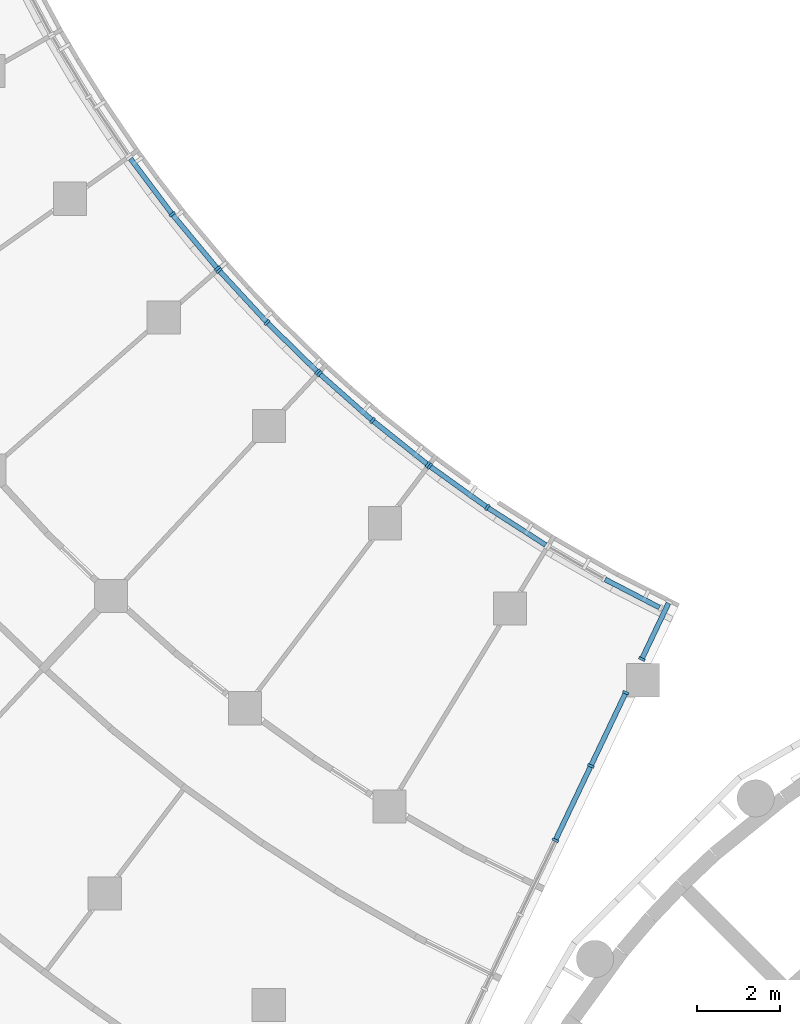
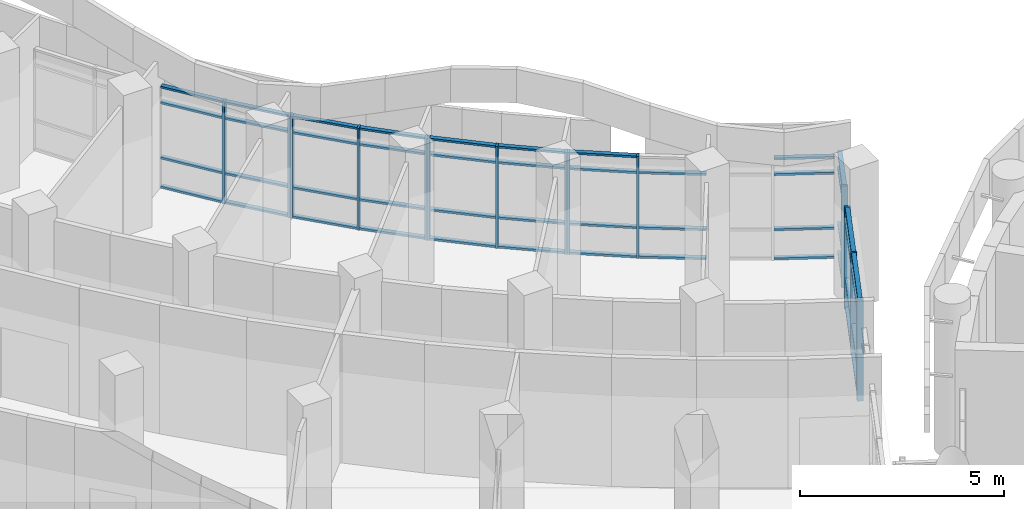
# One storey, part 21 of 109: 61 members, 7 elements without a shape of their own.
"""IFC4 building model written with IfcOpenShell, lengths in metres."""

from ifc_helpers import new_model, si_unit, direction, frame, origin, origin_2d, place, context, subcontext, project, spatial, rectangle, extrude, material, material_profile, profile_set, type_object, element, aggregate, save


model = new_model("IFC4")

# Units and contexts
model_context = context("Model", 3, precision=1e-05, world=origin(), true_north=direction((0.0, 1.0)))
body_context = subcontext(model_context, "Body", "Model", "MODEL_VIEW")
ifc_project = project(units=[si_unit("LENGTHUNIT", "METRE"), si_unit("AREAUNIT", "SQUARE_METRE"), si_unit("VOLUMEUNIT", "CUBIC_METRE"), si_unit("PLANEANGLEUNIT", "RADIAN"), si_unit("MASSUNIT", "GRAM", prefix="KILO")], contexts=[model_context])

# Site, building, storey
site_placement = place(None, origin())
site = spatial("IfcSite", under=ifc_project, at=site_placement, CompositionType="ELEMENT")
building_placement = place(site_placement, origin())
building = spatial("IfcBuilding", under=site, at=building_placement, Name="Bougainvillea Quay General Hospital", CompositionType="ELEMENT")
storey_placement = place(building_placement, frame((0.0, 0.0, 12.60009765625)))
storey = spatial("IfcBuildingStorey", under=building, at=storey_placement, Name="L02", CompositionType="ELEMENT", Elevation=12.60009765625)

# Curtain wall, members
ifc_material_1 = material(Name="Aluminium curtain wall system, powder-coated glazed", Category="aluminium")
curtain_wall_type_1 = type_object("IfcCurtainWallType", Name="Unitised curtain wall CW-1989", PredefinedType="NOTDEFINED", material=ifc_material_1)
curtain_wall_1_placement = place(storey_placement, origin())
curtain_wall_1 = element("IfcCurtainWall", 1, at=curtain_wall_1_placement, inside=storey, type_object=curtain_wall_type_1, Name="CW-AE 00", PredefinedType="NOTDEFINED")
ifc_material_2 = material(Name="Aluminium mullion, powder-coated charcoal", Category="aluminium")
ifc_material_profile_1 = material_profile(ifc_material_2, rectangle(XDim=0.159912109375, YDim=0.06005859375, at=origin_2d()))
ifc_profile_set_1 = profile_set([ifc_material_profile_1], Name="Aluminium mullion, powder-coated charcoal")
member_type_1 = type_object("IfcMemberType", Name="Curtain wall mullion 160x60", PredefinedType="MULLION", material=ifc_profile_set_1)
member_1_placement = place(storey_placement, frame((91.583251953125, 89.646240234375, 0.0), z_axis=(0.0, 0.0, 1.0), x_axis=(-0.902560506484, 0.430563040838, 0.0)))
member_1 = element("IfcMember", 2, at=member_1_placement, type_object=member_type_1, Name="CW-AE mullion 6", PredefinedType="MULLION", context=body_context, shape_type="SweptSolid", body=[
    extrude(rectangle(XDim=0.159912109375, YDim=0.06005859375, at=origin_2d()), origin(), (0.0, 0.0, 1.0), 3.0498046875),
])
member_2_placement = place(storey_placement, frame((92.439208984375, 91.44091796875, 0.0), z_axis=(0.0, 0.0, 1.0), x_axis=(-0.902560506484, 0.430563040838, 0.0)))
member_2 = element("IfcMember", 3, at=member_2_placement, type_object=member_type_1, Name="CW-AE mullion 7", PredefinedType="MULLION", context=body_context, shape_type="SweptSolid", body=[
    extrude(rectangle(XDim=0.159912109375, YDim=0.06005859375, at=origin_2d()), origin(), (0.0, 0.0, 1.0), 3.0498046875),
])
member_3_placement = place(storey_placement, frame((93.282470703125, 93.20849609375, 0.0), z_axis=(0.0, 0.0, 1.0), x_axis=(-0.902560506484, 0.430563040838, 0.0)))
member_3 = element("IfcMember", 4, at=member_3_placement, type_object=member_type_1, Name="CW-AE mullion 8", PredefinedType="MULLION", context=body_context, shape_type="SweptSolid", body=[
    extrude(rectangle(XDim=0.159912109375, YDim=0.06005859375, at=origin_2d()), origin(), (0.0, 0.0, 1.0), 3.0498046875),
])

# Curtain wall, member
curtain_wall_type_2 = type_object("IfcCurtainWallType", Name="Unitised curtain wall CW-1580", PredefinedType="NOTDEFINED", material=ifc_material_1)
curtain_wall_2_placement = place(storey_placement, origin())
curtain_wall_2 = element("IfcCurtainWall", 5, at=curtain_wall_2_placement, inside=storey, type_object=curtain_wall_type_2, Name="CW-AE 01", PredefinedType="NOTDEFINED")
member_4_placement = place(storey_placement, frame((93.670166015625, 94.020751953125, 0.0), z_axis=(0.0, 0.0, 1.0), x_axis=(-0.902560506484, 0.430563040838, 0.0)))
member_4 = element("IfcMember", 6, at=member_4_placement, type_object=member_type_1, Name="CW-AE mullion 1", PredefinedType="MULLION", context=body_context, shape_type="SweptSolid", body=[
    extrude(rectangle(XDim=0.159912109375, YDim=0.06005859375, at=origin_2d()), origin(), (0.0, 0.0, 1.0), 3.0498046875),
])

# Curtain wall, members
curtain_wall_type_3 = type_object("IfcCurtainWallType", Name="Unitised curtain wall CW-2100", PredefinedType="NOTDEFINED", material=ifc_material_1)
curtain_wall_3_placement = place(storey_placement, origin())
curtain_wall_3 = element("IfcCurtainWall", 7, at=curtain_wall_3_placement, inside=storey, type_object=curtain_wall_type_3, Name="CW-W02 a11b1", PredefinedType="NOTDEFINED")
member_5_placement = place(storey_placement, frame((89.939697265625, 97.6787109375, 0.0), z_axis=(0.0, 0.0, 1.0), x_axis=(-0.562343185136, -0.826903949762, 0.0)))
member_5 = element("IfcMember", 8, at=member_5_placement, type_object=member_type_1, Name="CW-W02 mullion 2", PredefinedType="MULLION", context=body_context, shape_type="SweptSolid", body=[
    extrude(rectangle(XDim=0.159912109375, YDim=0.06005859375, at=origin_2d()), origin(), (0.0, 0.0, 1.0), 3.0498046875),
])
member_6_placement = place(storey_placement, frame((88.552978515625, 98.674072265625, 0.0), z_axis=(0.0, 0.0, 1.0), x_axis=(-0.583130104218, -0.812378779606, 0.0)))
member_6 = element("IfcMember", 9, at=member_6_placement, type_object=member_type_1, Name="CW-W02 mullion 3", PredefinedType="MULLION", context=body_context, shape_type="SweptSolid", body=[
    extrude(rectangle(XDim=0.159912109375, YDim=0.06005859375, at=origin_2d()), origin(), (0.0, 0.0, 1.0), 3.0498046875),
])

curtain_wall_4_placement = place(storey_placement, origin())
curtain_wall_4 = element("IfcCurtainWall", 10, at=curtain_wall_4_placement, inside=storey, type_object=curtain_wall_type_3, Name="CW-W03 a11b2", PredefinedType="NOTDEFINED")
member_7_placement = place(storey_placement, frame((88.50537109375, 98.710205078125, 0.0), z_axis=(0.0, 0.0, 1.0), x_axis=(-0.623565824026, -0.781770850765, 0.0)))
member_7 = element("IfcMember", 11, at=member_7_placement, type_object=member_type_1, Name="CW-W03 mullion 1", PredefinedType="MULLION", context=body_context, shape_type="SweptSolid", body=[
    extrude(rectangle(XDim=0.159912109375, YDim=0.06005859375, at=origin_2d()), origin(), (0.0, 0.0, 1.0), 3.0498046875),
])
member_8_placement = place(storey_placement, frame((87.1708984375, 99.774658203125, 0.0), z_axis=(0.0, 0.0, 1.0), x_axis=(-0.643188621489, -0.765707775321, 0.0)))
member_8 = element("IfcMember", 12, at=member_8_placement, type_object=member_type_1, Name="CW-W03 mullion 2", PredefinedType="MULLION", context=body_context, shape_type="SweptSolid", body=[
    extrude(rectangle(XDim=0.159912109375, YDim=0.06005859375, at=origin_2d()), origin(), (0.0, 0.0, 1.0), 3.0498046875),
])
member_9_placement = place(storey_placement, frame((85.89208984375, 100.9052734375, 0.0), z_axis=(0.0, 0.0, 1.0), x_axis=(-0.662397799417, -0.749152291145, 0.0)))
member_9 = element("IfcMember", 13, at=member_9_placement, type_object=member_type_1, Name="CW-W03 mullion 3", PredefinedType="MULLION", context=body_context, shape_type="SweptSolid", body=[
    extrude(rectangle(XDim=0.159912109375, YDim=0.06005859375, at=origin_2d()), origin(), (0.0, 0.0, 1.0), 3.0498046875),
])

curtain_wall_5_placement = place(storey_placement, origin())
curtain_wall_5 = element("IfcCurtainWall", 14, at=curtain_wall_5_placement, inside=storey, type_object=curtain_wall_type_3, Name="CW-W04 a11b3", PredefinedType="NOTDEFINED")
member_10_placement = place(storey_placement, frame((85.84814453125, 100.946044921875, 0.0), z_axis=(0.0, 0.0, 1.0), x_axis=(-0.699526158712, -0.714606992183, 0.0)))
member_10 = element("IfcMember", 15, at=member_10_placement, type_object=member_type_1, Name="CW-W04 mullion 1", PredefinedType="MULLION", context=body_context, shape_type="SweptSolid", body=[
    extrude(rectangle(XDim=0.159912109375, YDim=0.06005859375, at=origin_2d()), origin(), (0.0, 0.0, 1.0), 3.0498046875),
])
member_11_placement = place(storey_placement, frame((84.62841796875, 102.14013671875, 0.0), z_axis=(0.0, 0.0, 1.0), x_axis=(-0.717421463702, -0.69663939267, 0.0)))
member_11 = element("IfcMember", 16, at=member_11_placement, type_object=member_type_1, Name="CW-W04 mullion 2", PredefinedType="MULLION", context=body_context, shape_type="SweptSolid", body=[
    extrude(rectangle(XDim=0.159912109375, YDim=0.06005859375, at=origin_2d()), origin(), (0.0, 0.0, 1.0), 3.0498046875),
])
member_12_placement = place(storey_placement, frame((83.470703125, 103.39453125, 0.0), z_axis=(0.0, 0.0, 1.0), x_axis=(-0.734855411756, -0.678223800683, 0.0)))
member_12 = element("IfcMember", 17, at=member_12_placement, type_object=member_type_1, Name="CW-W04 mullion 3", PredefinedType="MULLION", context=body_context, shape_type="SweptSolid", body=[
    extrude(rectangle(XDim=0.159912109375, YDim=0.06005859375, at=origin_2d()), origin(), (0.0, 0.0, 1.0), 3.0498046875),
])

curtain_wall_6_placement = place(storey_placement, origin())
curtain_wall_6 = element("IfcCurtainWall", 18, at=curtain_wall_6_placement, inside=storey, type_object=curtain_wall_type_3, Name="CW-W05 a11b4", PredefinedType="NOTDEFINED")
member_13_placement = place(storey_placement, frame((83.43115234375, 103.439697265625, 0.0), z_axis=(0.0, 0.0, 1.0), x_axis=(-0.768294695498, -0.64009629031, 0.0)))
member_13 = element("IfcMember", 19, at=member_13_placement, type_object=member_type_1, Name="CW-W05 mullion 1", PredefinedType="MULLION", context=body_context, shape_type="SweptSolid", body=[
    extrude(rectangle(XDim=0.159912109375, YDim=0.06005859375, at=origin_2d()), origin(), (0.0, 0.0, 1.0), 3.0498046875),
])
member_14_placement = place(storey_placement, frame((82.338623046875, 104.7509765625, 0.0), z_axis=(0.0, 0.0, 1.0), x_axis=(-0.784278527167, -0.620408890833, 0.0)))
member_14 = element("IfcMember", 20, at=member_14_placement, type_object=member_type_1, Name="CW-W05 mullion 2", PredefinedType="MULLION", context=body_context, shape_type="SweptSolid", body=[
    extrude(rectangle(XDim=0.159912109375, YDim=0.06005859375, at=origin_2d()), origin(), (0.0, 0.0, 1.0), 3.0498046875),
])

# Member
ifc_material_3 = material(Name="Aluminium transom, powder-coated charcoal", Category="aluminium")
ifc_material_profile_2 = material_profile(ifc_material_3, rectangle(XDim=0.1201171875, YDim=0.06005859375, at=origin_2d()))
ifc_profile_set_2 = profile_set([ifc_material_profile_2], Name="Aluminium transom, powder-coated charcoal")
member_type_2 = type_object("IfcMemberType", Name="Curtain wall transom 120x60", PredefinedType="USERDEFINED", material=ifc_profile_set_2)
member_15_placement = place(storey_placement, frame((91.595947265625, 89.67333984375, 0.02978515625), z_axis=(0.430680374419, 0.902504523584, 0.0), x_axis=(-0.902504523584, 0.430680374419, 0.0)))
member_15 = element("IfcMember", 21, at=member_15_placement, type_object=member_type_2, Name="CW-AE transom 6.1", ObjectType="TRANSOM", PredefinedType="USERDEFINED", context=body_context, shape_type="SweptSolid", body=[
    extrude(rectangle(XDim=0.1201171875, YDim=0.06005859375, at=origin_2d()), origin(), (0.0, 0.0, 1.0), 1.928466796875),
])

member_16_placement = place(storey_placement, frame((91.595947265625, 89.67333984375, 0.89990234375), z_axis=(0.430680374419, 0.902504523584, 0.0), x_axis=(-0.902504523584, 0.430680374419, 0.0)))
member_16 = element("IfcMember", 22, at=member_16_placement, type_object=member_type_2, Name="CW-AE transom 6.2", ObjectType="TRANSOM", PredefinedType="USERDEFINED", context=body_context, shape_type="SweptSolid", body=[
    extrude(rectangle(XDim=0.1201171875, YDim=0.06005859375, at=origin_2d()), origin(), (0.0, 0.0, 1.0), 1.928466796875),
])

member_17_placement = place(storey_placement, frame((91.595947265625, 89.67333984375, 2.5498046875), z_axis=(0.430680374419, 0.902504523584, 0.0), x_axis=(-0.902504523584, 0.430680374419, 0.0)))
member_17 = element("IfcMember", 23, at=member_17_placement, type_object=member_type_2, Name="CW-AE transom 6.3", ObjectType="TRANSOM", PredefinedType="USERDEFINED", context=body_context, shape_type="SweptSolid", body=[
    extrude(rectangle(XDim=0.1201171875, YDim=0.06005859375, at=origin_2d()), origin(), (0.0, 0.0, 1.0), 1.928466796875),
])

member_18_placement = place(storey_placement, frame((91.595947265625, 89.67333984375, 3.02001953125), z_axis=(0.430680374419, 0.902504523584, 0.0), x_axis=(-0.902504523584, 0.430680374419, 0.0)))
member_18 = element("IfcMember", 24, at=member_18_placement, type_object=member_type_2, Name="CW-AE transom 6.4", ObjectType="TRANSOM", PredefinedType="USERDEFINED", context=body_context, shape_type="SweptSolid", body=[
    extrude(rectangle(XDim=0.1201171875, YDim=0.06005859375, at=origin_2d()), origin(), (0.0, 0.0, 1.0), 1.928466796875),
])

member_19_placement = place(storey_placement, frame((92.4521484375, 91.468017578125, 0.02978515625), z_axis=(0.43057246086, 0.902556012638, 0.0), x_axis=(-0.902556012638, 0.43057246086, 0.0)))
member_19 = element("IfcMember", 25, at=member_19_placement, type_object=member_type_2, Name="CW-AE transom 7.1", ObjectType="TRANSOM", PredefinedType="USERDEFINED", context=body_context, shape_type="SweptSolid", body=[
    extrude(rectangle(XDim=0.1201171875, YDim=0.06005859375, at=origin_2d()), origin(), (0.0, 0.0, 1.0), 1.8984375),
])

member_20_placement = place(storey_placement, frame((92.4521484375, 91.468017578125, 0.89990234375), z_axis=(0.43057246086, 0.902556012638, 0.0), x_axis=(-0.902556012638, 0.43057246086, 0.0)))
member_20 = element("IfcMember", 26, at=member_20_placement, type_object=member_type_2, Name="CW-AE transom 7.2", ObjectType="TRANSOM", PredefinedType="USERDEFINED", context=body_context, shape_type="SweptSolid", body=[
    extrude(rectangle(XDim=0.1201171875, YDim=0.06005859375, at=origin_2d()), origin(), (0.0, 0.0, 1.0), 1.8984375),
])

member_21_placement = place(storey_placement, frame((92.4521484375, 91.468017578125, 2.5498046875), z_axis=(0.43057246086, 0.902556012638, 0.0), x_axis=(-0.902556012638, 0.43057246086, 0.0)))
member_21 = element("IfcMember", 27, at=member_21_placement, type_object=member_type_2, Name="CW-AE transom 7.3", ObjectType="TRANSOM", PredefinedType="USERDEFINED", context=body_context, shape_type="SweptSolid", body=[
    extrude(rectangle(XDim=0.1201171875, YDim=0.06005859375, at=origin_2d()), origin(), (0.0, 0.0, 1.0), 1.8984375),
])

member_22_placement = place(storey_placement, frame((92.4521484375, 91.468017578125, 3.02001953125), z_axis=(0.43057246086, 0.902556012638, 0.0), x_axis=(-0.902556012638, 0.43057246086, 0.0)))
member_22 = element("IfcMember", 28, at=member_22_placement, type_object=member_type_2, Name="CW-AE transom 7.4", ObjectType="TRANSOM", PredefinedType="USERDEFINED", context=body_context, shape_type="SweptSolid", body=[
    extrude(rectangle(XDim=0.1201171875, YDim=0.06005859375, at=origin_2d()), origin(), (0.0, 0.0, 1.0), 1.8984375),
])

aggregate(curtain_wall_1, [member_1, member_2, member_3, member_15, member_16, member_17, member_18, member_19, member_20, member_21, member_22])

member_23_placement = place(storey_placement, frame((93.682861328125, 94.0478515625, 0.02978515625), z_axis=(0.430615048018, 0.902535694818, 0.0), x_axis=(-0.902535694818, 0.430615048018, 0.0)))
member_23 = element("IfcMember", 29, at=member_23_placement, type_object=member_type_2, Name="CW-AE transom 1.1", ObjectType="TRANSOM", PredefinedType="USERDEFINED", context=body_context, shape_type="SweptSolid", body=[
    extrude(rectangle(XDim=0.1201171875, YDim=0.06005859375, at=origin_2d()), origin(), (0.0, 0.0, 1.0), 1.4599609375),
])

member_24_placement = place(storey_placement, frame((93.682861328125, 94.0478515625, 0.89990234375), z_axis=(0.430615048018, 0.902535694818, 0.0), x_axis=(-0.902535694818, 0.430615048018, 0.0)))
member_24 = element("IfcMember", 30, at=member_24_placement, type_object=member_type_2, Name="CW-AE transom 1.2", ObjectType="TRANSOM", PredefinedType="USERDEFINED", context=body_context, shape_type="SweptSolid", body=[
    extrude(rectangle(XDim=0.1201171875, YDim=0.06005859375, at=origin_2d()), origin(), (0.0, 0.0, 1.0), 1.4599609375),
])

member_25_placement = place(storey_placement, frame((93.682861328125, 94.0478515625, 2.5498046875), z_axis=(0.430615048018, 0.902535694818, 0.0), x_axis=(-0.902535694818, 0.430615048018, 0.0)))
member_25 = element("IfcMember", 31, at=member_25_placement, type_object=member_type_2, Name="CW-AE transom 1.3", ObjectType="TRANSOM", PredefinedType="USERDEFINED", context=body_context, shape_type="SweptSolid", body=[
    extrude(rectangle(XDim=0.1201171875, YDim=0.06005859375, at=origin_2d()), origin(), (0.0, 0.0, 1.0), 1.4599609375),
])

member_26_placement = place(storey_placement, frame((93.682861328125, 94.0478515625, 3.02001953125), z_axis=(0.430615048018, 0.902535694818, 0.0), x_axis=(-0.902535694818, 0.430615048018, 0.0)))
member_26 = element("IfcMember", 32, at=member_26_placement, type_object=member_type_2, Name="CW-AE transom 1.4", ObjectType="TRANSOM", PredefinedType="USERDEFINED", context=body_context, shape_type="SweptSolid", body=[
    extrude(rectangle(XDim=0.1201171875, YDim=0.06005859375, at=origin_2d()), origin(), (0.0, 0.0, 1.0), 1.4599609375),
])

aggregate(curtain_wall_2, [member_4, member_23, member_24, member_25, member_26])

# Curtain wall, members
curtain_wall_7_placement = place(storey_placement, origin())
curtain_wall_7 = element("IfcCurtainWall", 33, at=curtain_wall_7_placement, inside=storey, type_object=curtain_wall_type_3, Name="CW-W01 a11b0", PredefinedType="NOTDEFINED")
member_27_placement = place(storey_placement, frame((94.09375, 95.262939453125, 0.02978515625), z_axis=(-0.887984759124, 0.459872881961, 0.0), x_axis=(-0.459872881961, -0.887984759124, 0.0)))
member_27 = element("IfcMember", 34, at=member_27_placement, type_object=member_type_2, Name="CW-W01 transom 1.1", ObjectType="TRANSOM", PredefinedType="USERDEFINED", context=body_context, shape_type="SweptSolid", body=[
    extrude(rectangle(XDim=0.1201171875, YDim=0.06005859375, at=origin_2d()), origin(), (0.0, 0.0, 1.0), 1.475830078125),
])
member_28_placement = place(storey_placement, frame((94.09375, 95.262939453125, 0.89990234375), z_axis=(-0.887984759124, 0.459872881961, 0.0), x_axis=(-0.459872881961, -0.887984759124, 0.0)))
member_28 = element("IfcMember", 35, at=member_28_placement, type_object=member_type_2, Name="CW-W01 transom 1.2", ObjectType="TRANSOM", PredefinedType="USERDEFINED", context=body_context, shape_type="SweptSolid", body=[
    extrude(rectangle(XDim=0.1201171875, YDim=0.06005859375, at=origin_2d()), origin(), (0.0, 0.0, 1.0), 1.475830078125),
])
member_29_placement = place(storey_placement, frame((94.09375, 95.262939453125, 2.5498046875), z_axis=(-0.887984759124, 0.459872881961, 0.0), x_axis=(-0.459872881961, -0.887984759124, 0.0)))
member_29 = element("IfcMember", 36, at=member_29_placement, type_object=member_type_2, Name="CW-W01 transom 1.3", ObjectType="TRANSOM", PredefinedType="USERDEFINED", context=body_context, shape_type="SweptSolid", body=[
    extrude(rectangle(XDim=0.1201171875, YDim=0.06005859375, at=origin_2d()), origin(), (0.0, 0.0, 1.0), 1.475830078125),
])
member_30_placement = place(storey_placement, frame((94.09375, 95.262939453125, 3.02001953125), z_axis=(-0.887984759124, 0.459872881961, 0.0), x_axis=(-0.459872881961, -0.887984759124, 0.0)))
member_30 = element("IfcMember", 37, at=member_30_placement, type_object=member_type_2, Name="CW-W01 transom 1.4", ObjectType="TRANSOM", PredefinedType="USERDEFINED", context=body_context, shape_type="SweptSolid", body=[
    extrude(rectangle(XDim=0.1201171875, YDim=0.06005859375, at=origin_2d()), origin(), (0.0, 0.0, 1.0), 1.475830078125),
])
aggregate(curtain_wall_7, [member_27, member_28, member_29, member_30])

# Member
member_31_placement = place(storey_placement, frame((91.349853515625, 96.77099609375, 0.02978515625), z_axis=(-0.840860427207, 0.541252013352, 0.0), x_axis=(-0.541252013352, -0.840860427207, 0.0)))
member_31 = element("IfcMember", 38, at=member_31_placement, type_object=member_type_2, Name="CW-W02 transom 1.1", ObjectType="TRANSOM", PredefinedType="USERDEFINED", context=body_context, shape_type="SweptSolid", body=[
    extrude(rectangle(XDim=0.1201171875, YDim=0.06005859375, at=origin_2d()), origin(), (0.0, 0.0, 1.0), 1.646728515625),
])

member_32_placement = place(storey_placement, frame((91.349853515625, 96.77099609375, 0.89990234375), z_axis=(-0.840860427207, 0.541252013352, 0.0), x_axis=(-0.541252013352, -0.840860427207, 0.0)))
member_32 = element("IfcMember", 39, at=member_32_placement, type_object=member_type_2, Name="CW-W02 transom 1.2", ObjectType="TRANSOM", PredefinedType="USERDEFINED", context=body_context, shape_type="SweptSolid", body=[
    extrude(rectangle(XDim=0.1201171875, YDim=0.06005859375, at=origin_2d()), origin(), (0.0, 0.0, 1.0), 1.646728515625),
])

member_33_placement = place(storey_placement, frame((91.349853515625, 96.77099609375, 2.5498046875), z_axis=(-0.840860427207, 0.541252013352, 0.0), x_axis=(-0.541252013352, -0.840860427207, 0.0)))
member_33 = element("IfcMember", 40, at=member_33_placement, type_object=member_type_2, Name="CW-W02 transom 1.3", ObjectType="TRANSOM", PredefinedType="USERDEFINED", context=body_context, shape_type="SweptSolid", body=[
    extrude(rectangle(XDim=0.1201171875, YDim=0.06005859375, at=origin_2d()), origin(), (0.0, 0.0, 1.0), 1.646728515625),
])

member_34_placement = place(storey_placement, frame((89.91552734375, 97.696044921875, 0.02978515625), z_axis=(-0.812399348414, 0.583101448032, 0.0), x_axis=(-0.583101448032, -0.812399348414, 0.0)))
member_34 = element("IfcMember", 41, at=member_34_placement, type_object=member_type_2, Name="CW-W02 transom 2.1", ObjectType="TRANSOM", PredefinedType="USERDEFINED", context=body_context, shape_type="SweptSolid", body=[
    extrude(rectangle(XDim=0.1201171875, YDim=0.06005859375, at=origin_2d()), origin(), (0.0, 0.0, 1.0), 1.647216796875),
])

member_35_placement = place(storey_placement, frame((89.91552734375, 97.696044921875, 0.89990234375), z_axis=(-0.812399348414, 0.583101448032, 0.0), x_axis=(-0.583101448032, -0.812399348414, 0.0)))
member_35 = element("IfcMember", 42, at=member_35_placement, type_object=member_type_2, Name="CW-W02 transom 2.2", ObjectType="TRANSOM", PredefinedType="USERDEFINED", context=body_context, shape_type="SweptSolid", body=[
    extrude(rectangle(XDim=0.1201171875, YDim=0.06005859375, at=origin_2d()), origin(), (0.0, 0.0, 1.0), 1.647216796875),
])

member_36_placement = place(storey_placement, frame((89.91552734375, 97.696044921875, 2.5498046875), z_axis=(-0.812399348414, 0.583101448032, 0.0), x_axis=(-0.583101448032, -0.812399348414, 0.0)))
member_36 = element("IfcMember", 43, at=member_36_placement, type_object=member_type_2, Name="CW-W02 transom 2.3", ObjectType="TRANSOM", PredefinedType="USERDEFINED", context=body_context, shape_type="SweptSolid", body=[
    extrude(rectangle(XDim=0.1201171875, YDim=0.06005859375, at=origin_2d()), origin(), (0.0, 0.0, 1.0), 1.647216796875),
])

member_37_placement = place(storey_placement, frame((89.91552734375, 97.696044921875, 3.02001953125), z_axis=(-0.812399348414, 0.583101448032, 0.0), x_axis=(-0.583101448032, -0.812399348414, 0.0)))
member_37 = element("IfcMember", 44, at=member_37_placement, type_object=member_type_2, Name="CW-W02 transom 2.4", ObjectType="TRANSOM", PredefinedType="USERDEFINED", context=body_context, shape_type="SweptSolid", body=[
    extrude(rectangle(XDim=0.1201171875, YDim=0.06005859375, at=origin_2d()), origin(), (0.0, 0.0, 1.0), 1.647216796875),
])

aggregate(curtain_wall_3, [member_5, member_6, member_31, member_32, member_33, member_34, member_35, member_36, member_37])

member_38_placement = place(storey_placement, frame((88.48193359375, 98.728759765625, 0.02978515625), z_axis=(-0.781750163409, 0.623591759094, 0.0), x_axis=(-0.623591759094, -0.781750163409, 0.0)))
member_38 = element("IfcMember", 45, at=member_38_placement, type_object=member_type_2, Name="CW-W03 transom 1.1", ObjectType="TRANSOM", PredefinedType="USERDEFINED", context=body_context, shape_type="SweptSolid", body=[
    extrude(rectangle(XDim=0.1201171875, YDim=0.06005859375, at=origin_2d()), origin(), (0.0, 0.0, 1.0), 1.64697265625),
])

member_39_placement = place(storey_placement, frame((88.48193359375, 98.728759765625, 0.89990234375), z_axis=(-0.781750163409, 0.623591759094, 0.0), x_axis=(-0.623591759094, -0.781750163409, 0.0)))
member_39 = element("IfcMember", 46, at=member_39_placement, type_object=member_type_2, Name="CW-W03 transom 1.2", ObjectType="TRANSOM", PredefinedType="USERDEFINED", context=body_context, shape_type="SweptSolid", body=[
    extrude(rectangle(XDim=0.1201171875, YDim=0.06005859375, at=origin_2d()), origin(), (0.0, 0.0, 1.0), 1.64697265625),
])

member_40_placement = place(storey_placement, frame((88.48193359375, 98.728759765625, 2.5498046875), z_axis=(-0.781750163409, 0.623591759094, 0.0), x_axis=(-0.623591759094, -0.781750163409, 0.0)))
member_40 = element("IfcMember", 47, at=member_40_placement, type_object=member_type_2, Name="CW-W03 transom 1.3", ObjectType="TRANSOM", PredefinedType="USERDEFINED", context=body_context, shape_type="SweptSolid", body=[
    extrude(rectangle(XDim=0.1201171875, YDim=0.06005859375, at=origin_2d()), origin(), (0.0, 0.0, 1.0), 1.64697265625),
])

member_41_placement = place(storey_placement, frame((88.48193359375, 98.728759765625, 3.02001953125), z_axis=(-0.781750163409, 0.623591759094, 0.0), x_axis=(-0.623591759094, -0.781750163409, 0.0)))
member_41 = element("IfcMember", 48, at=member_41_placement, type_object=member_type_2, Name="CW-W03 transom 1.4", ObjectType="TRANSOM", PredefinedType="USERDEFINED", context=body_context, shape_type="SweptSolid", body=[
    extrude(rectangle(XDim=0.1201171875, YDim=0.06005859375, at=origin_2d()), origin(), (0.0, 0.0, 1.0), 1.64697265625),
])

member_42_placement = place(storey_placement, frame((87.1484375, 99.79443359375, 0.02978515625), z_axis=(-0.749205906667, 0.662337156903, 0.0), x_axis=(-0.662337156903, -0.749205906667, 0.0)))
member_42 = element("IfcMember", 49, at=member_42_placement, type_object=member_type_2, Name="CW-W03 transom 2.1", ObjectType="TRANSOM", PredefinedType="USERDEFINED", context=body_context, shape_type="SweptSolid", body=[
    extrude(rectangle(XDim=0.1201171875, YDim=0.06005859375, at=origin_2d()), origin(), (0.0, 0.0, 1.0), 1.64697265625),
])

member_43_placement = place(storey_placement, frame((87.1484375, 99.79443359375, 0.89990234375), z_axis=(-0.749205906667, 0.662337156903, 0.0), x_axis=(-0.662337156903, -0.749205906667, 0.0)))
member_43 = element("IfcMember", 50, at=member_43_placement, type_object=member_type_2, Name="CW-W03 transom 2.2", ObjectType="TRANSOM", PredefinedType="USERDEFINED", context=body_context, shape_type="SweptSolid", body=[
    extrude(rectangle(XDim=0.1201171875, YDim=0.06005859375, at=origin_2d()), origin(), (0.0, 0.0, 1.0), 1.64697265625),
])

member_44_placement = place(storey_placement, frame((87.1484375, 99.79443359375, 2.5498046875), z_axis=(-0.749205906667, 0.662337156903, 0.0), x_axis=(-0.662337156903, -0.749205906667, 0.0)))
member_44 = element("IfcMember", 51, at=member_44_placement, type_object=member_type_2, Name="CW-W03 transom 2.3", ObjectType="TRANSOM", PredefinedType="USERDEFINED", context=body_context, shape_type="SweptSolid", body=[
    extrude(rectangle(XDim=0.1201171875, YDim=0.06005859375, at=origin_2d()), origin(), (0.0, 0.0, 1.0), 1.64697265625),
])

member_45_placement = place(storey_placement, frame((87.1484375, 99.79443359375, 3.02001953125), z_axis=(-0.749205906667, 0.662337156903, 0.0), x_axis=(-0.662337156903, -0.749205906667, 0.0)))
member_45 = element("IfcMember", 52, at=member_45_placement, type_object=member_type_2, Name="CW-W03 transom 2.4", ObjectType="TRANSOM", PredefinedType="USERDEFINED", context=body_context, shape_type="SweptSolid", body=[
    extrude(rectangle(XDim=0.1201171875, YDim=0.06005859375, at=origin_2d()), origin(), (0.0, 0.0, 1.0), 1.64697265625),
])

aggregate(curtain_wall_4, [member_7, member_8, member_9, member_38, member_39, member_40, member_41, member_42, member_43, member_44, member_45])

member_46_placement = place(storey_placement, frame((85.82666015625, 100.967041015625, 0.02978515625), z_axis=(-0.714553654445, 0.699580642184, 0.0), x_axis=(-0.699580642184, -0.714553654445, 0.0)))
member_46 = element("IfcMember", 53, at=member_46_placement, type_object=member_type_2, Name="CW-W04 transom 1.1", ObjectType="TRANSOM", PredefinedType="USERDEFINED", context=body_context, shape_type="SweptSolid", body=[
    extrude(rectangle(XDim=0.1201171875, YDim=0.06005859375, at=origin_2d()), origin(), (0.0, 0.0, 1.0), 1.646728515625),
])

member_47_placement = place(storey_placement, frame((85.82666015625, 100.967041015625, 0.89990234375), z_axis=(-0.714553654445, 0.699580642184, 0.0), x_axis=(-0.699580642184, -0.714553654445, 0.0)))
member_47 = element("IfcMember", 54, at=member_47_placement, type_object=member_type_2, Name="CW-W04 transom 1.2", ObjectType="TRANSOM", PredefinedType="USERDEFINED", context=body_context, shape_type="SweptSolid", body=[
    extrude(rectangle(XDim=0.1201171875, YDim=0.06005859375, at=origin_2d()), origin(), (0.0, 0.0, 1.0), 1.646728515625),
])

member_48_placement = place(storey_placement, frame((85.82666015625, 100.967041015625, 2.5498046875), z_axis=(-0.714553654445, 0.699580642184, 0.0), x_axis=(-0.699580642184, -0.714553654445, 0.0)))
member_48 = element("IfcMember", 55, at=member_48_placement, type_object=member_type_2, Name="CW-W04 transom 1.3", ObjectType="TRANSOM", PredefinedType="USERDEFINED", context=body_context, shape_type="SweptSolid", body=[
    extrude(rectangle(XDim=0.1201171875, YDim=0.06005859375, at=origin_2d()), origin(), (0.0, 0.0, 1.0), 1.646728515625),
])

member_49_placement = place(storey_placement, frame((85.82666015625, 100.967041015625, 3.02001953125), z_axis=(-0.714553654445, 0.699580642184, 0.0), x_axis=(-0.699580642184, -0.714553654445, 0.0)))
member_49 = element("IfcMember", 56, at=member_49_placement, type_object=member_type_2, Name="CW-W04 transom 1.4", ObjectType="TRANSOM", PredefinedType="USERDEFINED", context=body_context, shape_type="SweptSolid", body=[
    extrude(rectangle(XDim=0.1201171875, YDim=0.06005859375, at=origin_2d()), origin(), (0.0, 0.0, 1.0), 1.646728515625),
])

member_50_placement = place(storey_placement, frame((84.60791015625, 102.162109375, 0.02978515625), z_axis=(-0.678150805641, 0.734922774725, 0.0), x_axis=(-0.734922774725, -0.678150805641, 0.0)))
member_50 = element("IfcMember", 57, at=member_50_placement, type_object=member_type_2, Name="CW-W04 transom 2.1", ObjectType="TRANSOM", PredefinedType="USERDEFINED", context=body_context, shape_type="SweptSolid", body=[
    extrude(rectangle(XDim=0.1201171875, YDim=0.06005859375, at=origin_2d()), origin(), (0.0, 0.0, 1.0), 1.64697265625),
])

member_51_placement = place(storey_placement, frame((84.60791015625, 102.162109375, 0.89990234375), z_axis=(-0.678150805641, 0.734922774725, 0.0), x_axis=(-0.734922774725, -0.678150805641, 0.0)))
member_51 = element("IfcMember", 58, at=member_51_placement, type_object=member_type_2, Name="CW-W04 transom 2.2", ObjectType="TRANSOM", PredefinedType="USERDEFINED", context=body_context, shape_type="SweptSolid", body=[
    extrude(rectangle(XDim=0.1201171875, YDim=0.06005859375, at=origin_2d()), origin(), (0.0, 0.0, 1.0), 1.64697265625),
])

member_52_placement = place(storey_placement, frame((84.60791015625, 102.162109375, 2.5498046875), z_axis=(-0.678150805641, 0.734922774725, 0.0), x_axis=(-0.734922774725, -0.678150805641, 0.0)))
member_52 = element("IfcMember", 59, at=member_52_placement, type_object=member_type_2, Name="CW-W04 transom 2.3", ObjectType="TRANSOM", PredefinedType="USERDEFINED", context=body_context, shape_type="SweptSolid", body=[
    extrude(rectangle(XDim=0.1201171875, YDim=0.06005859375, at=origin_2d()), origin(), (0.0, 0.0, 1.0), 1.64697265625),
])

member_53_placement = place(storey_placement, frame((84.60791015625, 102.162109375, 3.02001953125), z_axis=(-0.678150805641, 0.734922774725, 0.0), x_axis=(-0.734922774725, -0.678150805641, 0.0)))
member_53 = element("IfcMember", 60, at=member_53_placement, type_object=member_type_2, Name="CW-W04 transom 2.4", ObjectType="TRANSOM", PredefinedType="USERDEFINED", context=body_context, shape_type="SweptSolid", body=[
    extrude(rectangle(XDim=0.1201171875, YDim=0.06005859375, at=origin_2d()), origin(), (0.0, 0.0, 1.0), 1.64697265625),
])

aggregate(curtain_wall_5, [member_10, member_11, member_12, member_46, member_47, member_48, member_49, member_50, member_51, member_52, member_53])

member_54_placement = place(storey_placement, frame((83.411865234375, 103.462646484375, 0.02978515625), z_axis=(-0.640082329998, 0.768306326165, 0.0), x_axis=(-0.768306326165, -0.640082329998, 0.0)))
member_54 = element("IfcMember", 61, at=member_54_placement, type_object=member_type_2, Name="CW-W05 transom 1.1", ObjectType="TRANSOM", PredefinedType="USERDEFINED", context=body_context, shape_type="SweptSolid", body=[
    extrude(rectangle(XDim=0.1201171875, YDim=0.06005859375, at=origin_2d()), origin(), (0.0, 0.0, 1.0), 1.64697265625),
])

member_55_placement = place(storey_placement, frame((83.411865234375, 103.462646484375, 0.89990234375), z_axis=(-0.640082329998, 0.768306326165, 0.0), x_axis=(-0.768306326165, -0.640082329998, 0.0)))
member_55 = element("IfcMember", 62, at=member_55_placement, type_object=member_type_2, Name="CW-W05 transom 1.2", ObjectType="TRANSOM", PredefinedType="USERDEFINED", context=body_context, shape_type="SweptSolid", body=[
    extrude(rectangle(XDim=0.1201171875, YDim=0.06005859375, at=origin_2d()), origin(), (0.0, 0.0, 1.0), 1.64697265625),
])

member_56_placement = place(storey_placement, frame((83.411865234375, 103.462646484375, 2.5498046875), z_axis=(-0.640082329998, 0.768306326165, 0.0), x_axis=(-0.768306326165, -0.640082329998, 0.0)))
member_56 = element("IfcMember", 63, at=member_56_placement, type_object=member_type_2, Name="CW-W05 transom 1.3", ObjectType="TRANSOM", PredefinedType="USERDEFINED", context=body_context, shape_type="SweptSolid", body=[
    extrude(rectangle(XDim=0.1201171875, YDim=0.06005859375, at=origin_2d()), origin(), (0.0, 0.0, 1.0), 1.64697265625),
])

member_57_placement = place(storey_placement, frame((83.411865234375, 103.462646484375, 3.02001953125), z_axis=(-0.640082329998, 0.768306326165, 0.0), x_axis=(-0.768306326165, -0.640082329998, 0.0)))
member_57 = element("IfcMember", 64, at=member_57_placement, type_object=member_type_2, Name="CW-W05 transom 1.4", ObjectType="TRANSOM", PredefinedType="USERDEFINED", context=body_context, shape_type="SweptSolid", body=[
    extrude(rectangle(XDim=0.1201171875, YDim=0.06005859375, at=origin_2d()), origin(), (0.0, 0.0, 1.0), 1.64697265625),
])

member_58_placement = place(storey_placement, frame((82.320556640625, 104.775146484375, 0.02978515625), z_axis=(-0.600355707015, 0.799733096135, 0.0), x_axis=(-0.799733096135, -0.600355707015, 0.0)))
member_58 = element("IfcMember", 65, at=member_58_placement, type_object=member_type_2, Name="CW-W05 transom 2.1", ObjectType="TRANSOM", PredefinedType="USERDEFINED", context=body_context, shape_type="SweptSolid", body=[
    extrude(rectangle(XDim=0.1201171875, YDim=0.06005859375, at=origin_2d()), origin(), (0.0, 0.0, 1.0), 1.64697265625),
])

member_59_placement = place(storey_placement, frame((82.320556640625, 104.775146484375, 0.89990234375), z_axis=(-0.600355707015, 0.799733096135, 0.0), x_axis=(-0.799733096135, -0.600355707015, 0.0)))
member_59 = element("IfcMember", 66, at=member_59_placement, type_object=member_type_2, Name="CW-W05 transom 2.2", ObjectType="TRANSOM", PredefinedType="USERDEFINED", context=body_context, shape_type="SweptSolid", body=[
    extrude(rectangle(XDim=0.1201171875, YDim=0.06005859375, at=origin_2d()), origin(), (0.0, 0.0, 1.0), 1.64697265625),
])

member_60_placement = place(storey_placement, frame((82.320556640625, 104.775146484375, 2.5498046875), z_axis=(-0.600355707015, 0.799733096135, 0.0), x_axis=(-0.799733096135, -0.600355707015, 0.0)))
member_60 = element("IfcMember", 67, at=member_60_placement, type_object=member_type_2, Name="CW-W05 transom 2.3", ObjectType="TRANSOM", PredefinedType="USERDEFINED", context=body_context, shape_type="SweptSolid", body=[
    extrude(rectangle(XDim=0.1201171875, YDim=0.06005859375, at=origin_2d()), origin(), (0.0, 0.0, 1.0), 1.64697265625),
])

member_61_placement = place(storey_placement, frame((82.320556640625, 104.775146484375, 3.02001953125), z_axis=(-0.600355707015, 0.799733096135, 0.0), x_axis=(-0.799733096135, -0.600355707015, 0.0)))
member_61 = element("IfcMember", 68, at=member_61_placement, type_object=member_type_2, Name="CW-W05 transom 2.4", ObjectType="TRANSOM", PredefinedType="USERDEFINED", context=body_context, shape_type="SweptSolid", body=[
    extrude(rectangle(XDim=0.1201171875, YDim=0.06005859375, at=origin_2d()), origin(), (0.0, 0.0, 1.0), 1.64697265625),
])

aggregate(curtain_wall_6, [member_13, member_14, member_54, member_55, member_56, member_57, member_58, member_59, member_60, member_61])

save(model, "model.ifc")
